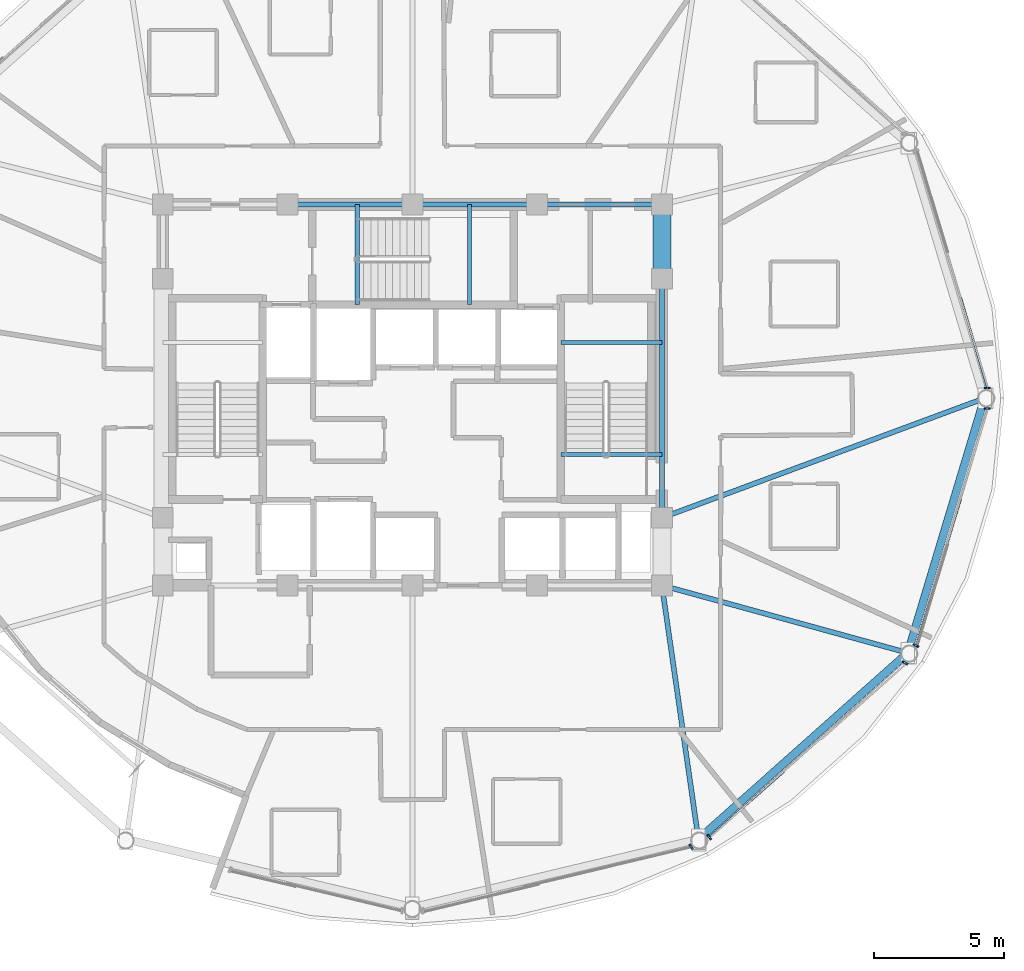
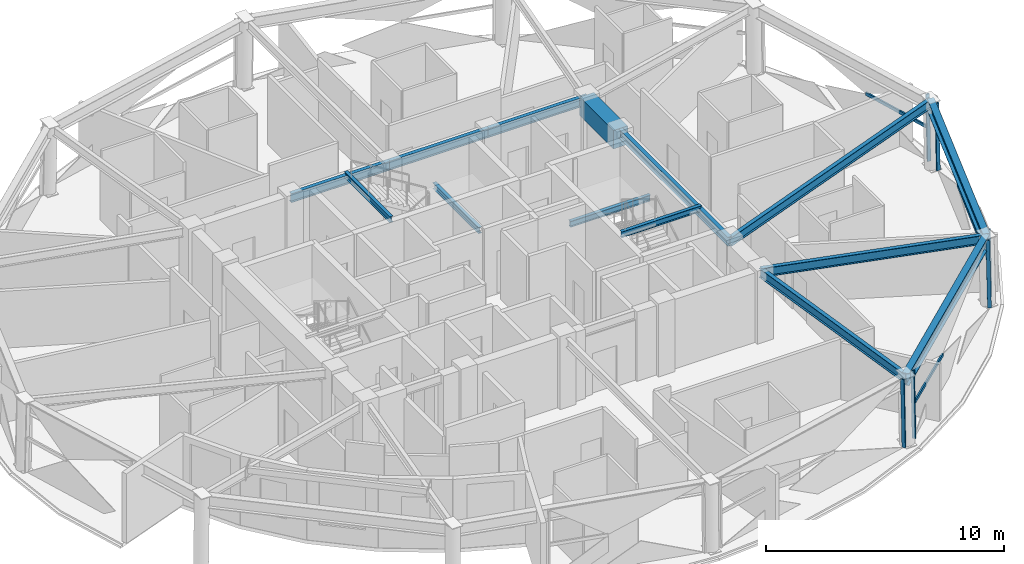
# One storey, part 5 of 18: 14 beams, 9 members, 4 elements without a shape of their own.
"""IFC4 building model written with IfcOpenShell, lengths in metres."""

from ifc_helpers import new_model, si_unit, direction, frame, origin, origin_2d, place, context, subcontext, project, spatial, rectangle, hollow_rectangle, i_section, extrude, material, layer, layer_set, material_profile, profile_set, type_object, element, aggregate, save


model = new_model("IFC4")

# Units and contexts
model_context = context("Model", 3, precision=1e-05, world=origin(), true_north=direction((0.0, 1.0)))
body_context = subcontext(model_context, "Body", "Model", "MODEL_VIEW")
ifc_project = project(units=[si_unit("LENGTHUNIT", "METRE"), si_unit("AREAUNIT", "SQUARE_METRE"), si_unit("VOLUMEUNIT", "CUBIC_METRE"), si_unit("PLANEANGLEUNIT", "RADIAN"), si_unit("MASSUNIT", "GRAM", prefix="KILO")], contexts=[model_context])

# Site, building, storey
site_placement = place(None, origin())
site = spatial("IfcSite", under=ifc_project, at=site_placement, CompositionType="ELEMENT")
building_placement = place(site_placement, origin())
building = spatial("IfcBuilding", under=site, at=building_placement, Name="Vantalir Tower", CompositionType="ELEMENT")
storey_placement = place(building_placement, frame((0.0, 0.0, 216.14990234375)))
storey = spatial("IfcBuildingStorey", under=building, at=storey_placement, Name="L54", CompositionType="ELEMENT", Elevation=216.14990234375)

# Beams
ifc_material_1 = material(Name="Concrete C60/75", Category="concrete")
ifc_material_profile_1 = material_profile(ifc_material_1, rectangle(XDim=0.699951171875, YDim=0.949951171875, at=origin_2d()), Name="Concrete C60/75")
ifc_profile_set_1 = profile_set([ifc_material_profile_1], Name="Concrete C60/75")
beam_type_1 = type_object("IfcBeamType", Name="BM-CB-700x950", PredefinedType="USERDEFINED", material=ifc_profile_set_1)
beam_1_placement = place(storey_placement, frame((41.10009765625, 29.60009765625, 3.09521484375), z_axis=(0.0, 1.0, 0.0), x_axis=(-1.0, 0.0, 0.0)))
element("IfcBeam", 1, at=beam_1_placement, inside=storey, type_object=beam_type_1, Name="L54 Core Coupling Girder 07", ObjectType="GIRDER", PredefinedType="USERDEFINED", context=body_context, shape_type="SweptSolid", body=[
    extrude(rectangle(XDim=0.699951171875, YDim=0.949951171875, at=origin_2d()), origin(), (0.0, 0.0, 1.0), 2.849853515625),
])
ifc_material_2 = material(Name="Steel S355", Category="steel")
ifc_material_profile_2 = material_profile(ifc_material_2, i_section(OverallWidth=0.166015625, OverallDepth=0.306884765625, WebThickness=0.006591796875, FlangeThickness=0.01171875, at=origin_2d()), Name="Steel S355")
ifc_profile_set_2 = profile_set([ifc_material_profile_2], Name="Steel S355")
beam_type_2 = type_object("IfcBeamType", Name="BM-JS-305x165", PredefinedType="JOIST", material=ifc_profile_set_2)
for number, where, z_axis, x_axis, name in (
    (2, (37.2099609375, 22.8349609375, 3.59619140625), (1.0, 0.0, 0.0), (0.0, 1.0, 0.0), "L55 Stair ST2 Well Nosing Trimmer Beam"),
    (3, (37.2099609375, 27.14501953125, 1.52099609375), (1.0, 0.0, 0.0), (0.0, 1.0, 0.0), "L54 Stair ST2 Half-Landing Support Beam"),
):
    element("IfcBeam", number, at=place(storey_placement, frame(where, z_axis=z_axis, x_axis=x_axis)), inside=storey, type_object=beam_type_2, Name=name, PredefinedType="JOIST", context=body_context, shape_type="SweptSolid", body=[
        extrude(i_section(OverallWidth=0.166015625, OverallDepth=0.306884765625, WebThickness=0.006591796875, FlangeThickness=0.01171875, at=origin_2d()), origin(), (0.0, 0.0, 1.0), 3.89013671875),
    ])
for number, where, z_axis, x_axis, name in (
    (4, (29.385009765625, 28.60009765625, 3.59619140625), (0.0, 1.0, 0.0), (-1.0, 0.0, 0.0), "L55 Stair ST3 Well Nosing Trimmer Beam"),
    (5, (33.695068359375, 28.60009765625, 1.52099609375), (0.0, 1.0, 0.0), (-1.0, 0.0, 0.0), "L54 Stair ST3 Half-Landing Support Beam"),
):
    element("IfcBeam", number, at=place(storey_placement, frame(where, z_axis=z_axis, x_axis=x_axis)), inside=storey, type_object=beam_type_2, Name=name, PredefinedType="JOIST", context=body_context, shape_type="SweptSolid", body=[
        extrude(i_section(OverallWidth=0.166015625, OverallDepth=0.306884765625, WebThickness=0.006591796875, FlangeThickness=0.01171875, at=origin_2d()), origin(), (0.0, 0.0, 1.0), 3.849853515625),
    ])
ifc_material_profile_3 = material_profile(ifc_material_2, i_section(OverallWidth=0.19189453125, OverallDepth=0.462890625, WebThickness=0.010498046875, FlangeThickness=0.017578125, at=origin_2d()), Name="Steel S355")
ifc_profile_set_3 = profile_set([ifc_material_profile_3], Name="Steel S355")
beam_type_3 = type_object("IfcBeamType", Name="BM-RB-457x191", PredefinedType="BEAM", material=ifc_profile_set_3)
beam_2_placement = place(storey_placement, frame((41.10009765625, 20.39990234375, 3.338134765625), z_axis=(0.0, 1.0, 0.0), x_axis=(-1.0, 0.0, 0.0)))
element("IfcBeam", 6, at=beam_2_placement, inside=storey, type_object=beam_type_3, Name="L54 Core Coupling Girder 06", PredefinedType="BEAM", context=body_context, shape_type="SweptSolid", body=[
    extrude(i_section(OverallWidth=0.19189453125, OverallDepth=0.462890625, WebThickness=0.010498046875, FlangeThickness=0.017578125, at=origin_2d()), origin(), (0.0, 0.0, 1.0), 9.2001953125),
])
for number, where, z_axis, x_axis, name in (
    (7, (41.10009765625, 32.449951171875, 3.338134765625), (-1.0, 0.0, 0.0), (0.0, -1.0, 0.0), "L54 Core Coupling Girder 08"),
    (8, (36.300048828125, 32.449951171875, 3.338134765625), (-1.0, 0.0, 0.0), (0.0, -1.0, 0.0), "L54 Core Coupling Girder 09"),
    (9, (31.5, 32.449951171875, 3.338134765625), (-1.0, 0.0, 0.0), (0.0, -1.0, 0.0), "L54 Core Coupling Girder 10"),
):
    element("IfcBeam", number, at=place(storey_placement, frame(where, z_axis=z_axis, x_axis=x_axis)), inside=storey, type_object=beam_type_3, Name=name, PredefinedType="BEAM", context=body_context, shape_type="SweptSolid", body=[
        extrude(i_section(OverallWidth=0.19189453125, OverallDepth=0.462890625, WebThickness=0.010498046875, FlangeThickness=0.017578125, at=origin_2d()), origin(), (0.0, 0.0, 1.0), 4.800048828125),
    ])
beam_3_placement = place(storey_placement, frame((53.512939453125, 25.0, 3.338134765625), z_axis=(-0.937681112374, -0.34749695178, 0.0), x_axis=(0.34749695178, -0.937681112374, 0.0)))
element("IfcBeam", 10, at=beam_3_placement, inside=storey, type_object=beam_type_3, Name="L54 Radial Floor Beam 01", PredefinedType="BEAM", context=body_context, shape_type="SweptSolid", body=[
    extrude(i_section(OverallWidth=0.19189453125, OverallDepth=0.462890625, WebThickness=0.010498046875, FlangeThickness=0.017578125, at=origin_2d()), origin(), (0.0, 0.0, 1.0), 13.23779296875),
])
beam_4_placement = place(storey_placement, frame((42.506103515625, 8.029052734375, 3.338134765625), z_axis=(-0.142428845266, 0.989805043449, 0.0), x_axis=(-0.989805043449, -0.142428845266, 0.0)))
element("IfcBeam", 11, at=beam_4_placement, inside=storey, type_object=beam_type_3, Name="L54 Radial Floor Beam 11", PredefinedType="BEAM", context=body_context, shape_type="SweptSolid", body=[
    extrude(i_section(OverallWidth=0.19189453125, OverallDepth=0.462890625, WebThickness=0.010498046875, FlangeThickness=0.017578125, at=origin_2d()), origin(), (0.0, 0.0, 1.0), 9.87158203125),
])
beam_5_placement = place(storey_placement, frame((50.56396484375, 15.201904296875, 3.338134765625), z_axis=(-0.964320419913, 0.264737847196, 0.0), x_axis=(-0.264737847196, -0.964320419913, 0.0)))
element("IfcBeam", 12, at=beam_5_placement, inside=storey, type_object=beam_type_3, Name="L54 Radial Floor Beam 12", PredefinedType="BEAM", context=body_context, shape_type="SweptSolid", body=[
    extrude(i_section(OverallWidth=0.19189453125, OverallDepth=0.462890625, WebThickness=0.010498046875, FlangeThickness=0.017578125, at=origin_2d()), origin(), (0.0, 0.0, 1.0), 9.81396484375),
])
ifc_material_3 = material(Name="Steel S460", Category="steel")
ifc_material_profile_4 = material_profile(ifc_material_3, i_section(OverallWidth=0.306884765625, OverallDepth=0.6201171875, WebThickness=0.01416015625, FlangeThickness=0.023681640625, at=origin_2d()), Name="Steel S460")
ifc_profile_set_4 = profile_set([ifc_material_profile_4], Name="Steel S460")
beam_type_4 = type_object("IfcBeamType", Name="BM-RG-610x305", PredefinedType="USERDEFINED", material=ifc_profile_set_4)
beam_6_placement = place(storey_placement, frame((42.506103515625, 8.029052734375, 3.260009765625), z_axis=(0.746934658409, 0.664897447782, 0.0), x_axis=(-0.664897447782, 0.746934658409, 0.0)))
element("IfcBeam", 13, at=beam_6_placement, inside=storey, type_object=beam_type_4, Name="L54 Circumferential Ring Girder 11", ObjectType="GIRDER", PredefinedType="USERDEFINED", context=body_context, shape_type="SweptSolid", body=[
    extrude(i_section(OverallWidth=0.306884765625, OverallDepth=0.6201171875, WebThickness=0.01416015625, FlangeThickness=0.023681640625, at=origin_2d()), origin(), (0.0, 0.0, 1.0), 10.787841796875),
])
beam_7_placement = place(storey_placement, frame((50.56396484375, 15.201904296875, 3.260009765625), z_axis=(0.288203662464, 0.957569135333, 0.0), x_axis=(-0.957569135333, 0.288203662464, 0.0)))
element("IfcBeam", 14, at=beam_7_placement, inside=storey, type_object=beam_type_4, Name="L54 Circumferential Ring Girder 12", ObjectType="GIRDER", PredefinedType="USERDEFINED", context=body_context, shape_type="SweptSolid", body=[
    extrude(i_section(OverallWidth=0.306884765625, OverallDepth=0.6201171875, WebThickness=0.01416015625, FlangeThickness=0.023681640625, at=origin_2d()), origin(), (0.0, 0.0, 1.0), 10.232177734375),
])

# Curtain wall, member
ifc_material_4 = material(Name="Champagne-silver PVDF aluminium and double-silver Low-E glass", Category="aluminium")
ifc_layer = layer(ifc_material_4, 0.2099609375)
ifc_layer_set = layer_set([ifc_layer], Name="Champagne-silver PVDF aluminium and double-silver Low-E glass")
curtain_wall_type = type_object("IfcCurtainWallType", Name="CW-DIAMOND-Z3", PredefinedType="USERDEFINED", material=ifc_layer_set)
curtain_wall_1_placement = place(storey_placement, origin())
curtain_wall_1 = element("IfcCurtainWall", 15, at=curtain_wall_1_placement, inside=storey, type_object=curtain_wall_type, Name="L54 Quilted Pyramid-Diamond Curtain Wall S01", ObjectType="UNITISED CURTAIN WALL", PredefinedType="USERDEFINED")
ifc_material_5 = material(Name="Champagne-silver PVDF aluminium 6063-T6", Category="aluminium")
ifc_material_profile_5 = material_profile(ifc_material_5, hollow_rectangle(XDim=0.070068359375, YDim=0.1650390625, WallThickness=0.00390625, at=origin_2d()), Name="Champagne-silver PVDF aluminium 6063-T6")
ifc_profile_set_5 = profile_set([ifc_material_profile_5], Name="Champagne-silver PVDF aluminium 6063-T6")
member_type_1 = type_object("IfcMemberType", Name="CWM-165x70", PredefinedType="MULLION", material=ifc_profile_set_5)
member_1_placement = place(storey_placement, frame((53.658935546875, 25.39306640625, 0.045166015625), z_axis=(-0.021252389867, 0.0, 0.999774142457), x_axis=(0.0, -1.0, 0.0)))
member_1 = element("IfcMember", 16, at=member_1_placement, type_object=member_type_1, Name="CW-L54-S01 Mullion 1", PredefinedType="MULLION", context=body_context, shape_type="SweptSolid", body=[
    extrude(hollow_rectangle(XDim=0.070068359375, YDim=0.1650390625, WallThickness=0.00390625, at=origin_2d()), origin(), (0.0, 0.0, 1.0), 3.480712890625),
])

curtain_wall_2_placement = place(storey_placement, origin())
curtain_wall_2 = element("IfcCurtainWall", 17, at=curtain_wall_2_placement, inside=storey, type_object=curtain_wall_type, Name="L54 Quilted Pyramid-Diamond Curtain Wall S10", ObjectType="UNITISED CURTAIN WALL", PredefinedType="USERDEFINED")
member_2_placement = place(storey_placement, frame((42.239990234375, 7.714111328125, 0.045166015625), z_axis=(-0.010661691426, 0.016062679846, 0.999814142054), x_axis=(-0.833168073273, -0.553019856496, 0.0)))
member_2 = element("IfcMember", 18, at=member_2_placement, type_object=member_type_1, Name="CW-L54-S10 Mullion 2", PredefinedType="MULLION", context=body_context, shape_type="SweptSolid", body=[
    extrude(hollow_rectangle(XDim=0.070068359375, YDim=0.1650390625, WallThickness=0.00390625, at=origin_2d()), origin(), (0.0, 0.0, 1.0), 3.480712890625),
])
aggregate(curtain_wall_2, [member_2])

# Curtain wall, members
curtain_wall_3_placement = place(storey_placement, origin())
curtain_wall_3 = element("IfcCurtainWall", 19, at=curtain_wall_3_placement, inside=storey, type_object=curtain_wall_type, Name="L54 Quilted Pyramid-Diamond Curtain Wall S11", ObjectType="UNITISED CURTAIN WALL", PredefinedType="USERDEFINED")
member_3_placement = place(storey_placement, frame((42.945068359375, 8.08203125, 0.045166015625), z_axis=(-0.010661691426, 0.016062679846, 0.999814142054), x_axis=(-0.833168073273, -0.553019856496, 0.0)))
member_3 = element("IfcMember", 20, at=member_3_placement, type_object=member_type_1, Name="CW-L54-S11 Mullion 1", PredefinedType="MULLION", context=body_context, shape_type="SweptSolid", body=[
    extrude(hollow_rectangle(XDim=0.070068359375, YDim=0.1650390625, WallThickness=0.00390625, at=origin_2d()), origin(), (0.0, 0.0, 1.0), 3.480712890625),
])
member_4_placement = place(storey_placement, frame((50.486083984375, 14.801025390625, 0.045166015625), z_axis=(-0.018376877251, 0.009469001637, 0.99978629136), x_axis=(-0.458037839434, -0.888932695791, 0.0)))
member_4 = element("IfcMember", 21, at=member_4_placement, type_object=member_type_1, Name="CW-L54-S11 Mullion 2", PredefinedType="MULLION", context=body_context, shape_type="SweptSolid", body=[
    extrude(hollow_rectangle(XDim=0.070068359375, YDim=0.1650390625, WallThickness=0.00390625, at=origin_2d()), origin(), (0.0, 0.0, 1.0), 3.480712890625),
])

curtain_wall_4_placement = place(storey_placement, origin())
curtain_wall_4 = element("IfcCurtainWall", 22, at=curtain_wall_4_placement, inside=storey, type_object=curtain_wall_type, Name="L54 Quilted Pyramid-Diamond Curtain Wall S12", ObjectType="UNITISED CURTAIN WALL", PredefinedType="USERDEFINED")
member_5_placement = place(storey_placement, frame((50.909912109375, 15.467041015625, 0.045166015625), z_axis=(-0.018376877251, 0.009469001637, 0.99978629136), x_axis=(-0.458037839434, -0.888932695791, 0.0)))
member_5 = element("IfcMember", 23, at=member_5_placement, type_object=member_type_1, Name="CW-L54-S12 Mullion 1", PredefinedType="MULLION", context=body_context, shape_type="SweptSolid", body=[
    extrude(hollow_rectangle(XDim=0.070068359375, YDim=0.1650390625, WallThickness=0.00390625, at=origin_2d()), origin(), (0.0, 0.0, 1.0), 3.480712890625),
])
member_6_placement = place(storey_placement, frame((53.658935546875, 24.60693359375, 0.045166015625), z_axis=(-0.021252389867, 0.0, 0.999774142457), x_axis=(0.0, -1.0, 0.0)))
member_6 = element("IfcMember", 24, at=member_6_placement, type_object=member_type_1, Name="CW-L54-S12 Mullion 2", PredefinedType="MULLION", context=body_context, shape_type="SweptSolid", body=[
    extrude(hollow_rectangle(XDim=0.070068359375, YDim=0.1650390625, WallThickness=0.00390625, at=origin_2d()), origin(), (0.0, 0.0, 1.0), 3.480712890625),
])

# Member
ifc_material_profile_6 = material_profile(ifc_material_5, hollow_rectangle(XDim=0.074951171875, YDim=0.159912109375, WallThickness=0.00390625, at=origin_2d()), Name="Champagne-silver PVDF aluminium 6063-T6")
ifc_profile_set_6 = profile_set([ifc_material_profile_6], Name="Champagne-silver PVDF aluminium 6063-T6")
member_type_2 = type_object("IfcMemberType", Name="CWT-160x75", PredefinedType="USERDEFINED", material=ifc_profile_set_6)
member_7_placement = place(storey_placement, frame((53.6220703125, 25.39306640625, 1.78515625), z_axis=(-0.28170224517, 0.959501873404, 0.0), x_axis=(-0.959501873404, -0.28170224517, 0.0)))
member_7 = element("IfcMember", 25, at=member_7_placement, type_object=member_type_2, Name="CW-L54-S01 Pyramid Fold Ridge Transom", ObjectType="TRANSOM", PredefinedType="USERDEFINED", context=body_context, shape_type="SweptSolid", body=[
    extrude(hollow_rectangle(XDim=0.074951171875, YDim=0.159912109375, WallThickness=0.00390625, at=origin_2d()), origin(), (0.0, 0.0, 1.0), 3.617431640625),
])

aggregate(curtain_wall_1, [member_1, member_7])

member_8_placement = place(storey_placement, frame((42.927001953125, 8.110107421875, 1.78515625), z_axis=(0.750679395321, 0.66066666742, 0.0), x_axis=(-0.66066666742, 0.750679395321, 0.0)))
member_8 = element("IfcMember", 26, at=member_8_placement, type_object=member_type_2, Name="CW-L54-S11 Pyramid Fold Ridge Transom", ObjectType="TRANSOM", PredefinedType="USERDEFINED", context=body_context, shape_type="SweptSolid", body=[
    extrude(hollow_rectangle(XDim=0.074951171875, YDim=0.159912109375, WallThickness=0.00390625, at=origin_2d()), origin(), (0.0, 0.0, 1.0), 3.83251953125),
])

aggregate(curtain_wall_3, [member_3, member_4, member_8])

member_9_placement = place(storey_placement, frame((50.8779296875, 15.48291015625, 1.78515625), z_axis=(0.291873254211, 0.956457005556, 0.0), x_axis=(-0.956457005556, 0.291873254211, 0.0)))
member_9 = element("IfcMember", 27, at=member_9_placement, type_object=member_type_2, Name="CW-L54-S12 Pyramid Fold Ridge Transom", ObjectType="TRANSOM", PredefinedType="USERDEFINED", context=body_context, shape_type="SweptSolid", body=[
    extrude(hollow_rectangle(XDim=0.074951171875, YDim=0.159912109375, WallThickness=0.00390625, at=origin_2d()), origin(), (0.0, 0.0, 1.0), 5.910400390625),
])

aggregate(curtain_wall_4, [member_5, member_6, member_9])

save(model, "model.ifc")
